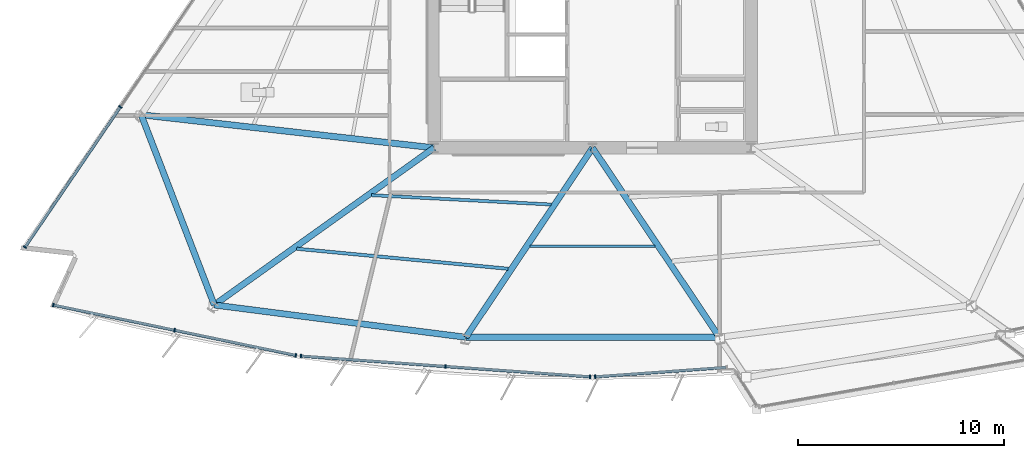
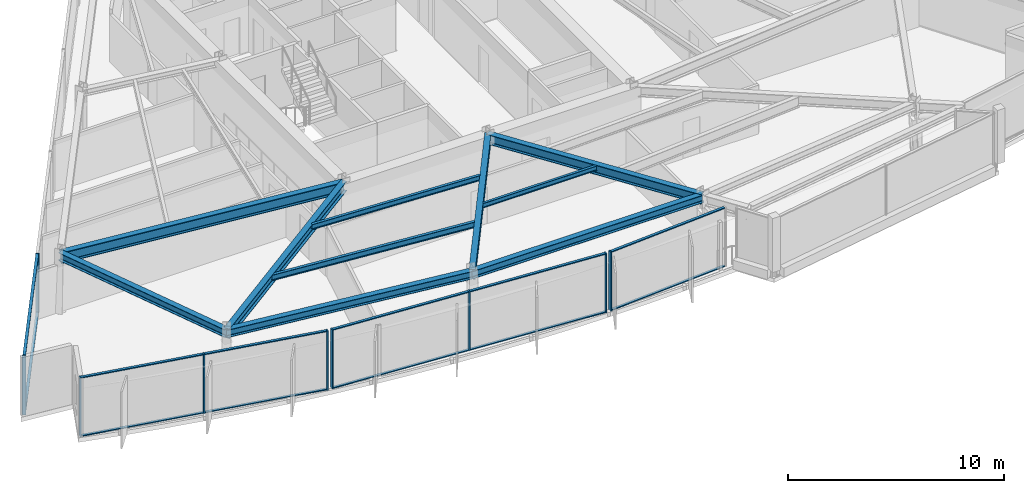
# One storey, part 2 of 15: 21 members, 10 beams, 4 elements without a shape of their own.
"""IFC4 building model written with IfcOpenShell, lengths in metres."""

from ifc_helpers import new_model, si_unit, direction, frame, origin, origin_2d, place, context, subcontext, project, spatial, rectangle, i_section, extrude, material, material_profile, profile_set, type_object, element, aggregate, save


model = new_model("IFC4")

# Units and contexts
model_context = context("Model", 3, precision=1e-05, world=origin(), true_north=direction((0.0, 1.0)))
body_context = subcontext(model_context, "Body", "Model", "MODEL_VIEW")
ifc_project = project(units=[si_unit("LENGTHUNIT", "METRE"), si_unit("AREAUNIT", "SQUARE_METRE"), si_unit("VOLUMEUNIT", "CUBIC_METRE"), si_unit("PLANEANGLEUNIT", "RADIAN"), si_unit("MASSUNIT", "GRAM", prefix="KILO")], contexts=[model_context])

# Site, building, storey
site_placement = place(None, origin())
site = spatial("IfcSite", under=ifc_project, at=site_placement, CompositionType="ELEMENT")
building_placement = place(site_placement, origin())
building = spatial("IfcBuilding", under=site, at=building_placement, Name="Savorim Split Tower", CompositionType="ELEMENT")
storey_placement = place(building_placement, frame((0.0, 0.0, 122.10009765625)))
storey = spatial("IfcBuildingStorey", under=building, at=storey_placement, Name="L32", CompositionType="ELEMENT", Elevation=122.10009765625)

# Beams
ifc_material_1 = material(Name="Steel S355", Category="steel")
ifc_material_profile_1 = material_profile(ifc_material_1, i_section(OverallWidth=0.135009765625, OverallDepth=0.27001953125, WebThickness=0.006591796875, FlangeThickness=0.01025390625, FilletRadius=0.014892578125, at=origin_2d()), Name="IPE 270")
ifc_profile_set_1 = profile_set([ifc_material_profile_1], Name="Steel S355")
beam_type_1 = type_object("IfcBeamType", Name="BM-JST-IPE270", PredefinedType="JOIST", material=ifc_profile_set_1)
beam_1_placement = place(storey_placement, frame((-3.043212890625, -14.184814453125, 3.21484375), z_axis=(1.0, 0.0, 0.0), x_axis=(0.0, 1.0, 0.0)))
element("IfcBeam", 1, at=beam_1_placement, inside=storey, type_object=beam_type_1, Name="L32 Secondary Floor Joist JS-03", PredefinedType="JOIST", context=body_context, shape_type="SweptSolid", body=[
    extrude(i_section(OverallWidth=0.135009765625, OverallDepth=0.27001953125, WebThickness=0.006591796875, FlangeThickness=0.01025390625, FilletRadius=0.014892578125, at=origin_2d()), origin(), (0.0, 0.0, 1.0), 6.08642578125),
])
ifc_material_profile_2 = material_profile(ifc_material_1, i_section(OverallWidth=0.14990234375, OverallDepth=0.300048828125, WebThickness=0.007080078125, FlangeThickness=0.0107421875, FilletRadius=0.014892578125, at=origin_2d()), Name="IPE 300")
ifc_profile_set_2 = profile_set([ifc_material_profile_2], Name="Steel S355")
beam_type_2 = type_object("IfcBeamType", Name="BM-JST-IPE300", PredefinedType="JOIST", material=ifc_profile_set_2)
beam_2_placement = place(storey_placement, frame((-10.743896484375, -11.6982421875, 3.199951171875), z_axis=(0.998653218174, -0.051882076198, 0.0), x_axis=(0.051882076198, 0.998653218174, 0.0)))
element("IfcBeam", 2, at=beam_2_placement, inside=storey, type_object=beam_type_2, Name="L32 Secondary Floor Joist JS-02", PredefinedType="JOIST", context=body_context, shape_type="SweptSolid", body=[
    extrude(i_section(OverallWidth=0.14990234375, OverallDepth=0.300048828125, WebThickness=0.007080078125, FlangeThickness=0.0107421875, FilletRadius=0.014892578125, at=origin_2d()), origin(), (0.0, 0.0, 1.0), 8.747802734375),
])
ifc_material_profile_3 = material_profile(ifc_material_1, i_section(OverallWidth=0.159912109375, OverallDepth=0.330078125, WebThickness=0.007568359375, FlangeThickness=0.011474609375, FilletRadius=0.01806640625, at=origin_2d()), Name="IPE 330")
ifc_profile_set_3 = profile_set([ifc_material_profile_3], Name="Steel S355")
beam_type_3 = type_object("IfcBeamType", Name="BM-JST-IPE330", PredefinedType="JOIST", material=ifc_profile_set_3)
beam_3_placement = place(storey_placement, frame((-14.375244140625, -14.30029296875, 3.184814453125), z_axis=(0.995537162209, -0.094370327227, 0.0), x_axis=(0.094370327227, 0.995537162209, 0.0)))
element("IfcBeam", 3, at=beam_3_placement, inside=storey, type_object=beam_type_3, Name="L32 Secondary Floor Joist JS-01", PredefinedType="JOIST", context=body_context, shape_type="SweptSolid", body=[
    extrude(i_section(OverallWidth=0.159912109375, OverallDepth=0.330078125, WebThickness=0.007568359375, FlangeThickness=0.011474609375, FilletRadius=0.01806640625, at=origin_2d()), origin(), (0.0, 0.0, 1.0), 10.31982421875),
])
ifc_material_profile_4 = material_profile(ifc_material_1, i_section(OverallWidth=0.300048828125, OverallDepth=0.550048828125, WebThickness=0.014892578125, FlangeThickness=0.029052734375, FilletRadius=0.027099609375, at=origin_2d()), Name="HEB 550")
ifc_profile_set_4 = profile_set([ifc_material_profile_4], Name="Steel S355")
beam_type_4 = type_object("IfcBeamType", Name="BM-PRI-HEB550", PredefinedType="BEAM", material=ifc_profile_set_4)
beam_4_placement = place(storey_placement, frame((-18.37890625, -17.032958984375, 3.074951171875), z_axis=(0.813544923629, 0.581502069849, 0.0), x_axis=(-0.581502069849, 0.813544923629, 0.0)))
element("IfcBeam", 4, at=beam_4_placement, inside=storey, type_object=beam_type_4, Name="L32 Primary Floor Girder RG-01", PredefinedType="BEAM", context=body_context, shape_type="SweptSolid", body=[
    extrude(i_section(OverallWidth=0.300048828125, OverallDepth=0.550048828125, WebThickness=0.014892578125, FlangeThickness=0.029052734375, FilletRadius=0.027099609375, at=origin_2d()), origin(), (0.0, 0.0, 1.0), 13.12646484375),
])
for number, where, z_axis, x_axis, name in (
    (5, (-6.159912109375, -18.601806640625, 3.074951171875), (0.556281528285, 0.83099389967, 0.0), (-0.83099389967, 0.556281528285, 0.0), "L32 Primary Floor Girder RG-02"),
    (6, (6.159912109375, -18.601806640625, 3.074951171875), (-0.556281528285, 0.83099389967, 0.0), (-0.83099389967, -0.556281528285, 0.0), "L32 Primary Floor Girder RG-03"),
):
    element("IfcBeam", number, at=place(storey_placement, frame(where, z_axis=z_axis, x_axis=x_axis)), inside=storey, type_object=beam_type_4, Name=name, PredefinedType="BEAM", context=body_context, shape_type="SweptSolid", body=[
        extrude(i_section(OverallWidth=0.300048828125, OverallDepth=0.550048828125, WebThickness=0.014892578125, FlangeThickness=0.029052734375, FilletRadius=0.027099609375, at=origin_2d()), origin(), (0.0, 0.0, 1.0), 11.073486328125),
    ])
ifc_material_2 = material(Name="Steel S460", Category="steel")
ifc_material_profile_5 = material_profile(ifc_material_2, i_section(OverallWidth=0.304931640625, OverallDepth=0.6201171875, WebThickness=0.02099609375, FlangeThickness=0.0400390625, FilletRadius=0.027099609375, at=origin_2d()), Name="HE 600 M")
ifc_profile_set_5 = profile_set([ifc_material_profile_5], Name="Steel S460")
beam_type_5 = type_object("IfcBeamType", Name="BM-PRI-HEM600", PredefinedType="BEAM", material=ifc_profile_set_5)
beam_5_placement = place(storey_placement, frame((-21.930419921875, -7.792236328125, 3.039794921875), z_axis=(0.993678935851, -0.112259398033, 0.0), x_axis=(0.112259398033, 0.993678935851, 0.0)))
element("IfcBeam", 7, at=beam_5_placement, inside=storey, type_object=beam_type_5, Name="L32 Primary Floor Girder RG-10", PredefinedType="BEAM", context=body_context, shape_type="SweptSolid", body=[
    extrude(i_section(OverallWidth=0.304931640625, OverallDepth=0.6201171875, WebThickness=0.02099609375, FlangeThickness=0.0400390625, FilletRadius=0.027099609375, at=origin_2d()), origin(), (0.0, 0.0, 1.0), 14.321044921875),
])
ifc_material_profile_6 = material_profile(ifc_material_1, i_section(OverallWidth=0.300048828125, OverallDepth=0.43994140625, WebThickness=0.011474609375, FlangeThickness=0.02099609375, FilletRadius=0.027099609375, at=origin_2d()), Name="HEA 450")
ifc_profile_set_6 = profile_set([ifc_material_profile_6], Name="Steel S355")
beam_type_6 = type_object("IfcBeamType", Name="BM-SPN-HEA450", PredefinedType="SPANDREL", material=ifc_profile_set_6)
beam_6_placement = place(storey_placement, frame((-18.37890625, -17.032958984375, 3.1298828125), z_axis=(0.991857996996, -0.127348787962, 0.0), x_axis=(0.127348787962, 0.991857996996, 0.0)))
element("IfcBeam", 8, at=beam_6_placement, inside=storey, type_object=beam_type_6, Name="L32 Perimeter Spandrel Beam 1", PredefinedType="SPANDREL", context=body_context, shape_type="SweptSolid", body=[
    extrude(i_section(OverallWidth=0.300048828125, OverallDepth=0.43994140625, WebThickness=0.011474609375, FlangeThickness=0.02099609375, FilletRadius=0.027099609375, at=origin_2d()), origin(), (0.0, 0.0, 1.0), 12.3193359375),
])
beam_7_placement = place(storey_placement, frame((-6.159912109375, -18.601806640625, 3.1298828125), z_axis=(1.0, 0.0, 0.0), x_axis=(0.0, 1.0, 0.0)))
element("IfcBeam", 9, at=beam_7_placement, inside=storey, type_object=beam_type_6, Name="L32 Perimeter Spandrel Beam 2", PredefinedType="SPANDREL", context=body_context, shape_type="SweptSolid", body=[
    extrude(i_section(OverallWidth=0.300048828125, OverallDepth=0.43994140625, WebThickness=0.011474609375, FlangeThickness=0.02099609375, FilletRadius=0.027099609375, at=origin_2d()), origin(), (0.0, 0.0, 1.0), 12.31982421875),
])
beam_8_placement = place(storey_placement, frame((-21.930419921875, -7.792236328125, 3.1298828125), z_axis=(0.358749361495, -0.93343392676, 0.0), x_axis=(0.93343392676, 0.358749361495, 0.0)))
element("IfcBeam", 10, at=beam_8_placement, inside=storey, type_object=beam_type_6, Name="L32 Perimeter Spandrel Beam 10", PredefinedType="SPANDREL", context=body_context, shape_type="SweptSolid", body=[
    extrude(i_section(OverallWidth=0.300048828125, OverallDepth=0.43994140625, WebThickness=0.011474609375, FlangeThickness=0.02099609375, FilletRadius=0.027099609375, at=origin_2d()), origin(), (0.0, 0.0, 1.0), 9.899658203125),
])

# Curtain wall, members
ifc_material_3 = material(Name="Dark Ceramic-Fritted Insulated Glass", Category="glass")
curtain_wall_type = type_object("IfcCurtainWallType", Name="CW-TWR-FRIT-A", PredefinedType="NOTDEFINED", material=ifc_material_3)
curtain_wall_1_placement = place(storey_placement, origin())
curtain_wall_1 = element("IfcCurtainWall", 11, at=curtain_wall_1_placement, inside=storey, type_object=curtain_wall_type, Name="L32 Curtain Wall CW-L32-SF1A", PredefinedType="NOTDEFINED")
ifc_material_4 = material(Name="Charcoal Anodised Aluminium", Category="aluminium")
ifc_material_profile_7 = material_profile(ifc_material_4, rectangle(XDim=0.179931640625, YDim=0.06494140625, at=origin_2d()), Name="ALU-M 180x65")
ifc_profile_set_7 = profile_set([ifc_material_profile_7], Name="Charcoal Anodised Aluminium")
member_type_1 = type_object("IfcMemberType", Name="CWM-180x65", PredefinedType="MULLION", material=ifc_profile_set_7)
member_1_placement = place(storey_placement, frame((-26.201171875, -17.0341796875, 0.0), z_axis=(0.0, 0.0, 1.0), x_axis=(0.203216307351, 0.979133868491, 0.0)))
member_1 = element("IfcMember", 12, at=member_1_placement, type_object=member_type_1, Name="CW-02 mullion 1", PredefinedType="MULLION", context=body_context, shape_type="SweptSolid", body=[
    extrude(rectangle(XDim=0.179931640625, YDim=0.06494140625, at=origin_2d()), origin(), (0.0, 0.0, 1.0), 3.349853515625),
])
member_2_placement = place(storey_placement, frame((-20.30859375, -18.257080078125, 0.0), z_axis=(0.0, 0.0, 1.0), x_axis=(0.203216307351, 0.979133868491, 0.0)))
member_2 = element("IfcMember", 13, at=member_2_placement, type_object=member_type_1, Name="CW-02 mullion 2", PredefinedType="MULLION", context=body_context, shape_type="SweptSolid", body=[
    extrude(rectangle(XDim=0.179931640625, YDim=0.06494140625, at=origin_2d()), origin(), (0.0, 0.0, 1.0), 3.349853515625),
])
member_3_placement = place(storey_placement, frame((-14.416259765625, -19.47998046875, 0.0), z_axis=(0.0, 0.0, 1.0), x_axis=(0.203216307351, 0.979133868491, 0.0)))
member_3 = element("IfcMember", 14, at=member_3_placement, type_object=member_type_1, Name="CW-02 mullion 3", PredefinedType="MULLION", context=body_context, shape_type="SweptSolid", body=[
    extrude(rectangle(XDim=0.179931640625, YDim=0.06494140625, at=origin_2d()), origin(), (0.0, 0.0, 1.0), 3.349853515625),
])

curtain_wall_2_placement = place(storey_placement, origin())
curtain_wall_2 = element("IfcCurtainWall", 15, at=curtain_wall_2_placement, inside=storey, type_object=curtain_wall_type, Name="L32 Curtain Wall CW-L32-SF2A", PredefinedType="NOTDEFINED")
member_4_placement = place(storey_placement, frame((-14.170166015625, -19.514404296875, 0.0), z_axis=(0.0, 0.0, 1.0), x_axis=(0.071558982453, 0.997436369916, 0.0)))
member_4 = element("IfcMember", 16, at=member_4_placement, type_object=member_type_1, Name="CW-02 mullion 1", PredefinedType="MULLION", context=body_context, shape_type="SweptSolid", body=[
    extrude(rectangle(XDim=0.179931640625, YDim=0.06494140625, at=origin_2d()), origin(), (0.0, 0.0, 1.0), 3.349853515625),
])
member_5_placement = place(storey_placement, frame((-7.14697265625, -20.018310546875, 0.0), z_axis=(0.0, 0.0, 1.0), x_axis=(0.071558982453, 0.997436369916, 0.0)))
member_5 = element("IfcMember", 17, at=member_5_placement, type_object=member_type_1, Name="CW-02 mullion 2", PredefinedType="MULLION", context=body_context, shape_type="SweptSolid", body=[
    extrude(rectangle(XDim=0.179931640625, YDim=0.06494140625, at=origin_2d()), origin(), (0.0, 0.0, 1.0), 3.349853515625),
])
member_6_placement = place(storey_placement, frame((-0.12353515625, -20.52197265625, 0.0), z_axis=(0.0, 0.0, 1.0), x_axis=(0.071558982453, 0.997436369916, 0.0)))
member_6 = element("IfcMember", 18, at=member_6_placement, type_object=member_type_1, Name="CW-02 mullion 3", PredefinedType="MULLION", context=body_context, shape_type="SweptSolid", body=[
    extrude(rectangle(XDim=0.179931640625, YDim=0.06494140625, at=origin_2d()), origin(), (0.0, 0.0, 1.0), 3.349853515625),
])

# Curtain wall, member
curtain_wall_3_placement = place(storey_placement, origin())
curtain_wall_3 = element("IfcCurtainWall", 19, at=curtain_wall_3_placement, inside=storey, type_object=curtain_wall_type, Name="L32 Curtain Wall CW-L32-SF3A", PredefinedType="NOTDEFINED")
member_7_placement = place(storey_placement, frame((0.12353515625, -20.52197265625, 0.0), z_axis=(0.0, 0.0, 1.0), x_axis=(-0.071562632816, 0.997436108021, 0.0)))
member_7 = element("IfcMember", 20, at=member_7_placement, type_object=member_type_1, Name="CW-02 mullion 1", PredefinedType="MULLION", context=body_context, shape_type="SweptSolid", body=[
    extrude(rectangle(XDim=0.179931640625, YDim=0.06494140625, at=origin_2d()), origin(), (0.0, 0.0, 1.0), 3.349853515625),
])

# Curtain wall, members
curtain_wall_4_placement = place(storey_placement, origin())
curtain_wall_4 = element("IfcCurtainWall", 21, at=curtain_wall_4_placement, inside=storey, type_object=curtain_wall_type, Name="L32 Curtain Wall CW-L32-WEST", PredefinedType="NOTDEFINED")
member_8_placement = place(storey_placement, frame((-22.94140625, -7.4091796875, 0.0), z_axis=(0.0, 0.0, 1.0), x_axis=(0.826819959579, -0.562466669628, 0.0)))
member_8 = element("IfcMember", 22, at=member_8_placement, type_object=member_type_1, Name="CW-02 mullion 4", PredefinedType="MULLION", context=body_context, shape_type="SweptSolid", body=[
    extrude(rectangle(XDim=0.179931640625, YDim=0.06494140625, at=origin_2d()), origin(), (0.0, 0.0, 1.0), 3.349853515625),
])
member_9_placement = place(storey_placement, frame((-27.57568359375, -14.221435546875, 0.0), z_axis=(0.0, 0.0, 1.0), x_axis=(0.826819959579, -0.562466669628, 0.0)))
member_9 = element("IfcMember", 23, at=member_9_placement, type_object=member_type_1, Name="CW-02 mullion 5", PredefinedType="MULLION", context=body_context, shape_type="SweptSolid", body=[
    extrude(rectangle(XDim=0.179931640625, YDim=0.06494140625, at=origin_2d()), origin(), (0.0, 0.0, 1.0), 3.349853515625),
])

# Member
ifc_material_profile_8 = material_profile(ifc_material_4, rectangle(XDim=0.139892578125, YDim=0.054931640625, at=origin_2d()), Name="ALU-T 140x55")
ifc_profile_set_8 = profile_set([ifc_material_profile_8], Name="Charcoal Anodised Aluminium")
member_type_2 = type_object("IfcMemberType", Name="CWT-140x55", PredefinedType="USERDEFINED", material=ifc_profile_set_8)
member_10_placement = place(storey_placement, frame((-26.169189453125, -17.040771484375, 0.02734375), z_axis=(0.979133683494, -0.203217198698, 0.0), x_axis=(0.203217198698, 0.979133683494, 0.0)))
member_10 = element("IfcMember", 24, at=member_10_placement, type_object=member_type_2, Name="CW-02 transom 1.1", ObjectType="TRANSOM", PredefinedType="USERDEFINED", context=body_context, shape_type="SweptSolid", body=[
    extrude(rectangle(XDim=0.139892578125, YDim=0.054931640625, at=origin_2d()), origin(), (0.0, 0.0, 1.0), 5.952880859375),
])

member_11_placement = place(storey_placement, frame((-26.169189453125, -17.040771484375, 3.322509765625), z_axis=(0.979133683494, -0.203217198698, 0.0), x_axis=(0.203217198698, 0.979133683494, 0.0)))
member_11 = element("IfcMember", 25, at=member_11_placement, type_object=member_type_2, Name="CW-02 transom 1.2", ObjectType="TRANSOM", PredefinedType="USERDEFINED", context=body_context, shape_type="SweptSolid", body=[
    extrude(rectangle(XDim=0.139892578125, YDim=0.054931640625, at=origin_2d()), origin(), (0.0, 0.0, 1.0), 5.952880859375),
])

member_12_placement = place(storey_placement, frame((-20.27685546875, -18.263671875, 0.02734375), z_axis=(0.979133683494, -0.203217198698, 0.0), x_axis=(0.203217198698, 0.979133683494, 0.0)))
member_12 = element("IfcMember", 26, at=member_12_placement, type_object=member_type_2, Name="CW-02 transom 2.1", ObjectType="TRANSOM", PredefinedType="USERDEFINED", context=body_context, shape_type="SweptSolid", body=[
    extrude(rectangle(XDim=0.139892578125, YDim=0.054931640625, at=origin_2d()), origin(), (0.0, 0.0, 1.0), 5.952880859375),
])

member_13_placement = place(storey_placement, frame((-20.27685546875, -18.263671875, 3.322509765625), z_axis=(0.979133683494, -0.203217198698, 0.0), x_axis=(0.203217198698, 0.979133683494, 0.0)))
member_13 = element("IfcMember", 27, at=member_13_placement, type_object=member_type_2, Name="CW-02 transom 2.2", ObjectType="TRANSOM", PredefinedType="USERDEFINED", context=body_context, shape_type="SweptSolid", body=[
    extrude(rectangle(XDim=0.139892578125, YDim=0.054931640625, at=origin_2d()), origin(), (0.0, 0.0, 1.0), 5.952880859375),
])

aggregate(curtain_wall_1, [member_1, member_2, member_3, member_10, member_11, member_12, member_13])

member_14_placement = place(storey_placement, frame((-14.137939453125, -19.5166015625, 0.02734375), z_axis=(0.997435910974, -0.071565379199, 0.0), x_axis=(0.071565379199, 0.997435910974, 0.0)))
member_14 = element("IfcMember", 28, at=member_14_placement, type_object=member_type_2, Name="CW-02 transom 1.1", ObjectType="TRANSOM", PredefinedType="USERDEFINED", context=body_context, shape_type="SweptSolid", body=[
    extrude(rectangle(XDim=0.139892578125, YDim=0.054931640625, at=origin_2d()), origin(), (0.0, 0.0, 1.0), 6.976318359375),
])

member_15_placement = place(storey_placement, frame((-14.137939453125, -19.5166015625, 3.322509765625), z_axis=(0.997435910974, -0.071565379199, 0.0), x_axis=(0.071565379199, 0.997435910974, 0.0)))
member_15 = element("IfcMember", 29, at=member_15_placement, type_object=member_type_2, Name="CW-02 transom 1.2", ObjectType="TRANSOM", PredefinedType="USERDEFINED", context=body_context, shape_type="SweptSolid", body=[
    extrude(rectangle(XDim=0.139892578125, YDim=0.054931640625, at=origin_2d()), origin(), (0.0, 0.0, 1.0), 6.976318359375),
])

member_16_placement = place(storey_placement, frame((-7.114501953125, -20.0205078125, 0.02734375), z_axis=(0.997435910974, -0.071565379199, 0.0), x_axis=(0.071565379199, 0.997435910974, 0.0)))
member_16 = element("IfcMember", 30, at=member_16_placement, type_object=member_type_2, Name="CW-02 transom 2.1", ObjectType="TRANSOM", PredefinedType="USERDEFINED", context=body_context, shape_type="SweptSolid", body=[
    extrude(rectangle(XDim=0.139892578125, YDim=0.054931640625, at=origin_2d()), origin(), (0.0, 0.0, 1.0), 6.976318359375),
])

member_17_placement = place(storey_placement, frame((-7.114501953125, -20.0205078125, 3.322509765625), z_axis=(0.997435910974, -0.071565379199, 0.0), x_axis=(0.071565379199, 0.997435910974, 0.0)))
member_17 = element("IfcMember", 31, at=member_17_placement, type_object=member_type_2, Name="CW-02 transom 2.2", ObjectType="TRANSOM", PredefinedType="USERDEFINED", context=body_context, shape_type="SweptSolid", body=[
    extrude(rectangle(XDim=0.139892578125, YDim=0.054931640625, at=origin_2d()), origin(), (0.0, 0.0, 1.0), 6.976318359375),
])

aggregate(curtain_wall_2, [member_4, member_5, member_6, member_14, member_15, member_16, member_17])

member_18_placement = place(storey_placement, frame((0.156005859375, -20.519775390625, 0.02734375), z_axis=(0.997436931693, 0.071551151595, 0.0), x_axis=(-0.071551151595, 0.997436931693, 0.0)))
member_18 = element("IfcMember", 32, at=member_18_placement, type_object=member_type_2, Name="CW-02 transom 1.1", ObjectType="TRANSOM", PredefinedType="USERDEFINED", context=body_context, shape_type="SweptSolid", body=[
    extrude(rectangle(XDim=0.139892578125, YDim=0.054931640625, at=origin_2d()), origin(), (0.0, 0.0, 1.0), 6.332763671875),
])

member_19_placement = place(storey_placement, frame((0.156005859375, -20.519775390625, 3.322509765625), z_axis=(0.997436931693, 0.071551151595, 0.0), x_axis=(-0.071551151595, 0.997436931693, 0.0)))
member_19 = element("IfcMember", 33, at=member_19_placement, type_object=member_type_2, Name="CW-02 transom 1.2", ObjectType="TRANSOM", PredefinedType="USERDEFINED", context=body_context, shape_type="SweptSolid", body=[
    extrude(rectangle(XDim=0.139892578125, YDim=0.054931640625, at=origin_2d()), origin(), (0.0, 0.0, 1.0), 6.332763671875),
])

aggregate(curtain_wall_3, [member_7, member_18, member_19])

member_20_placement = place(storey_placement, frame((-22.959716796875, -7.43603515625, 0.02734375), z_axis=(-0.562478304433, -0.826812044568, 0.0), x_axis=(0.826812044568, -0.562478304433, 0.0)))
member_20 = element("IfcMember", 34, at=member_20_placement, type_object=member_type_2, Name="CW-02 transom 4.1", ObjectType="TRANSOM", PredefinedType="USERDEFINED", context=body_context, shape_type="SweptSolid", body=[
    extrude(rectangle(XDim=0.139892578125, YDim=0.054931640625, at=origin_2d()), origin(), (0.0, 0.0, 1.0), 8.173828125),
])

member_21_placement = place(storey_placement, frame((-22.959716796875, -7.43603515625, 3.322509765625), z_axis=(-0.562478304433, -0.826812044568, 0.0), x_axis=(0.826812044568, -0.562478304433, 0.0)))
member_21 = element("IfcMember", 35, at=member_21_placement, type_object=member_type_2, Name="CW-02 transom 4.2", ObjectType="TRANSOM", PredefinedType="USERDEFINED", context=body_context, shape_type="SweptSolid", body=[
    extrude(rectangle(XDim=0.139892578125, YDim=0.054931640625, at=origin_2d()), origin(), (0.0, 0.0, 1.0), 8.173828125),
])

aggregate(curtain_wall_4, [member_8, member_9, member_20, member_21])

save(model, "model.ifc")
